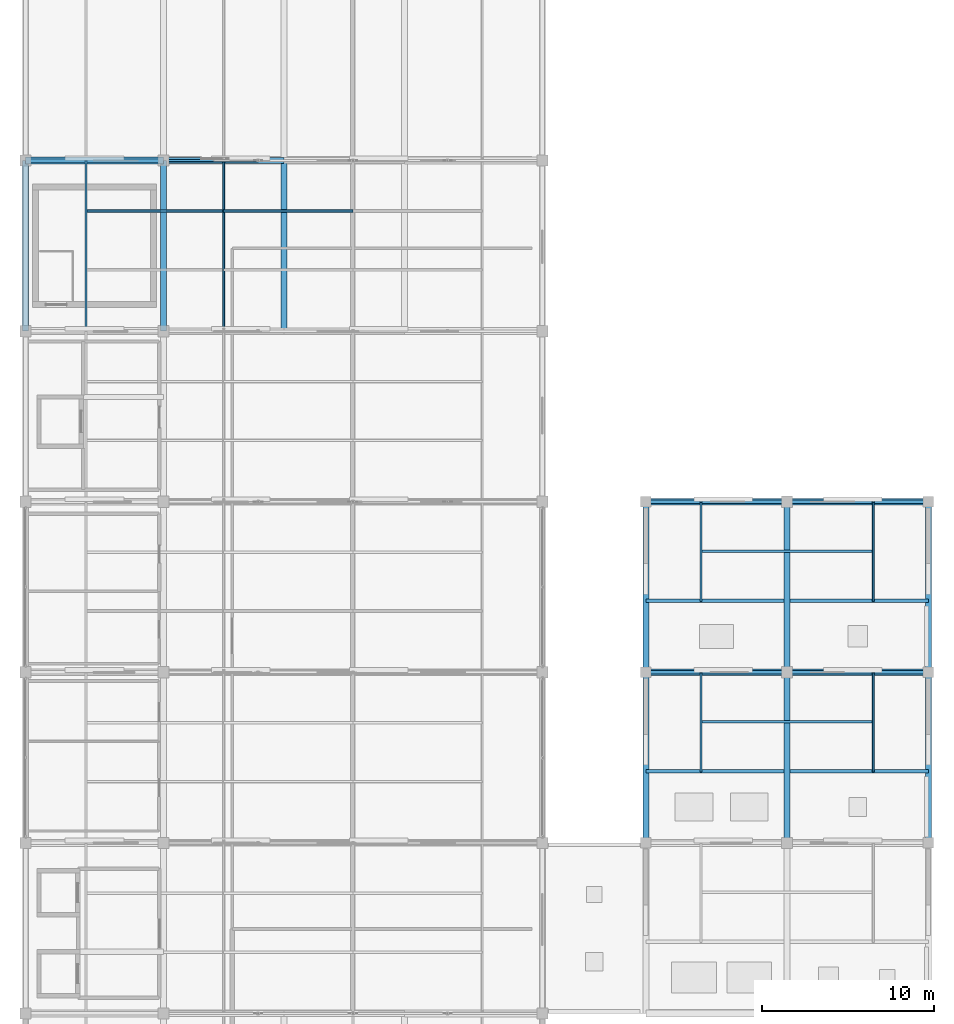
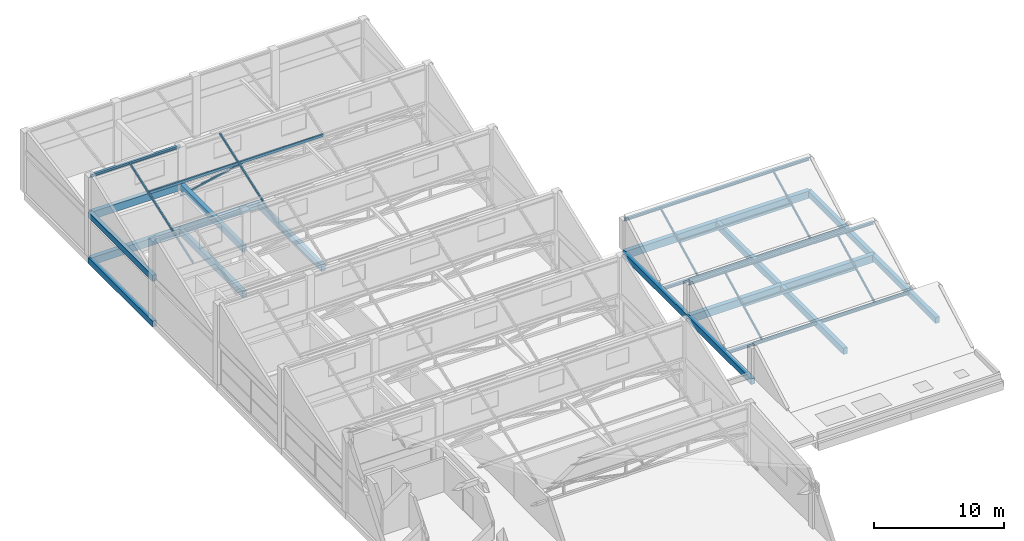
# One storey, part 22 of 35: 27 beams, 11 members.
"""IFC4 building model written with IfcOpenShell, lengths in metres."""

from ifc_helpers import new_model, si_unit, direction, frame, origin, origin_2d, place, context, subcontext, project, spatial, rectangle, hollow_rectangle, i_section, extrude, material, material_profile, profile_set, type_object, element, save


model = new_model("IFC4")

# Units and contexts
model_context = context("Model", 3, precision=1e-05, world=origin(), true_north=direction((0.0, 1.0)))
body_context = subcontext(model_context, "Body", "Model", "MODEL_VIEW")
ifc_project = project(units=[si_unit("LENGTHUNIT", "METRE"), si_unit("AREAUNIT", "SQUARE_METRE"), si_unit("VOLUMEUNIT", "CUBIC_METRE"), si_unit("PLANEANGLEUNIT", "RADIAN"), si_unit("MASSUNIT", "GRAM", prefix="KILO")], contexts=[model_context])

# Site, building, storey
site_placement = place(None, origin())
site = spatial("IfcSite", under=ifc_project, at=site_placement, CompositionType="ELEMENT")
building_placement = place(site_placement, origin())
building = spatial("IfcBuilding", under=site, at=building_placement, Name="Sillaruma Civic Art Gallery", CompositionType="ELEMENT")
storey_placement = place(building_placement, frame((0.0, 0.0, 74.4599609375)))
storey = spatial("IfcBuildingStorey", under=building, at=storey_placement, Name="L15", CompositionType="ELEMENT", Elevation=74.4599609375)

# Beams
ifc_material_1 = material(Name="Concrete H35 (35 MPa)", Category="concrete")
ifc_material_profile_1 = material_profile(ifc_material_1, rectangle(XDim=0.35009765625, YDim=0.60009765625, at=origin_2d()), Name="RCB350x600")
ifc_profile_set_1 = profile_set([ifc_material_profile_1], Name="Concrete H35 (35 MPa)")
beam_type_1 = type_object("IfcBeamType", Name="BM-BEAM-RCB350x600", PredefinedType="BEAM", material=ifc_profile_set_1)
beam_1_placement = place(storey_placement, frame((70.0, 89.10009765625, -0.550048828125), z_axis=(1.0, 0.0, 0.0), x_axis=(0.0, 1.0, 0.0)))
element("IfcBeam", 1, at=beam_1_placement, inside=storey, type_object=beam_type_1, Name="Beam BM-06 (L14:10:G-H)", PredefinedType="BEAM", context=body_context, shape_type="SweptSolid", body=[
    extrude(rectangle(XDim=0.35009765625, YDim=0.60009765625, at=origin_2d()), origin(), (0.0, 0.0, 1.0), 7.0),
])
for number, where, z_axis, x_axis, name in (
    (2, (70.0, 79.199951171875, -0.550048828125), (0.0, 1.0, 0.0), (-1.0, 0.0, 0.0), "Beam BM-06 (L14:G:9-10)"),
    (3, (77.0, 79.199951171875, -0.550048828125), (0.0, 1.0, 0.0), (-1.0, 0.0, 0.0), "Beam BM-06 (L14:H:9-10)"),
):
    element("IfcBeam", number, at=place(storey_placement, frame(where, z_axis=z_axis, x_axis=x_axis)), inside=storey, type_object=beam_type_1, Name=name, PredefinedType="BEAM", context=body_context, shape_type="SweptSolid", body=[
        extrude(rectangle(XDim=0.35009765625, YDim=0.60009765625, at=origin_2d()), origin(), (0.0, 0.0, 1.0), 9.900146484375),
    ])
beam_2_placement = place(storey_placement, frame((106.199951171875, 49.5, -0.550048828125), z_axis=(0.0, 1.0, 0.0), x_axis=(-1.0, 0.0, 0.0)))
element("IfcBeam", 4, at=beam_2_placement, inside=storey, type_object=beam_type_1, Name="Beam BM-06 (L14:M:6-7)", PredefinedType="BEAM", context=body_context, shape_type="SweptSolid", body=[
    extrude(rectangle(XDim=0.35009765625, YDim=0.60009765625, at=origin_2d()), origin(), (0.0, 0.0, 1.0), 9.89990234375),
])
beam_3_placement = place(storey_placement, frame((106.199951171875, 59.39990234375, -0.550048828125), z_axis=(0.0, 1.0, 0.0), x_axis=(-1.0, 0.0, 0.0)))
element("IfcBeam", 5, at=beam_3_placement, inside=storey, type_object=beam_type_1, Name="Beam BM-06 (L14:M:7-8)", PredefinedType="BEAM", context=body_context, shape_type="SweptSolid", body=[
    extrude(rectangle(XDim=0.35009765625, YDim=0.60009765625, at=origin_2d()), origin(), (0.0, 0.0, 1.0), 9.900146484375),
])
ifc_material_profile_2 = material_profile(ifc_material_1, rectangle(XDim=0.39990234375, YDim=0.699951171875, at=origin_2d()), Name="RCB400x700")
ifc_profile_set_2 = profile_set([ifc_material_profile_2], Name="Concrete H35 (35 MPa)")
beam_type_2 = type_object("IfcBeamType", Name="BM-BEAM-RCB400x700", PredefinedType="BEAM", material=ifc_profile_set_2)
for number, where, z_axis, x_axis, name in (
    (6, (98.0, 59.39990234375, -0.599853515625), (1.0, 0.0, 0.0), (0.0, 1.0, 0.0), "Beam BM-04 (L14:7:L-M)"),
    (7, (106.199951171875, 59.39990234375, -0.599853515625), (1.0, 0.0, 0.0), (0.0, 1.0, 0.0), "Beam BM-04 (L14:7:M-N)"),
    (8, (98.0, 69.300048828125, -0.599853515625), (1.0, 0.0, 0.0), (0.0, 1.0, 0.0), "Beam BM-04 (L14:8:L-M)"),
    (9, (106.199951171875, 69.300048828125, -0.599853515625), (1.0, 0.0, 0.0), (0.0, 1.0, 0.0), "Beam BM-04 (L14:8:M-N)"),
):
    element("IfcBeam", number, at=place(storey_placement, frame(where, z_axis=z_axis, x_axis=x_axis)), inside=storey, type_object=beam_type_2, Name=name, PredefinedType="BEAM", context=body_context, shape_type="SweptSolid", body=[
        extrude(rectangle(XDim=0.39990234375, YDim=0.699951171875, at=origin_2d()), origin(), (0.0, 0.0, 1.0), 8.199951171875),
    ])
beam_4_placement = place(storey_placement, frame((62.0, 89.10009765625, -0.599853515625), z_axis=(1.0, 0.0, 0.0), x_axis=(0.0, 1.0, 0.0)))
element("IfcBeam", 10, at=beam_4_placement, inside=storey, type_object=beam_type_2, Name="Beam BM-04 (L14:10:F-G)", PredefinedType="BEAM", context=body_context, shape_type="SweptSolid", body=[
    extrude(rectangle(XDim=0.39990234375, YDim=0.699951171875, at=origin_2d()), origin(), (0.0, 0.0, 1.0), 8.0),
])
ifc_material_profile_3 = material_profile(ifc_material_1, rectangle(XDim=0.35009765625, YDim=0.550048828125, at=origin_2d()), Name="RCB350x550")
ifc_profile_set_3 = profile_set([ifc_material_profile_3], Name="Concrete H35 (35 MPa)")
beam_type_3 = type_object("IfcBeamType", Name="BM-ROF-RCB350x550", PredefinedType="SPANDREL", material=ifc_profile_set_3)
beam_5_placement = place(storey_placement, frame((62.0, 79.199951171875, 3.76513671875), z_axis=(0.0, 1.0, 0.0), x_axis=(-1.0, 0.0, 0.0)))
element("IfcBeam", 11, at=beam_5_placement, inside=storey, type_object=beam_type_3, Name="Beam BSR-04 (L15:F:9-10)", PredefinedType="SPANDREL", context=body_context, shape_type="SweptSolid", body=[
    extrude(rectangle(XDim=0.35009765625, YDim=0.550048828125, at=origin_2d()), origin(), (0.0, 0.0, 1.0), 9.900146484375),
])
ifc_material_profile_4 = material_profile(ifc_material_1, rectangle(XDim=0.35009765625, YDim=0.60009765625, at=origin_2d()), Name="RCB350x600")
ifc_profile_set_4 = profile_set([ifc_material_profile_4], Name="Concrete H35 (35 MPa)")
beam_type_4 = type_object("IfcBeamType", Name="BM-ROF-RCB350x600", PredefinedType="BEAM", material=ifc_profile_set_4)
beam_6_placement = place(storey_placement, frame((70.0, 79.199951171875, 3.739990234375), z_axis=(0.0, 1.0, 0.0), x_axis=(-1.0, 0.0, 0.0)))
element("IfcBeam", 12, at=beam_6_placement, inside=storey, type_object=beam_type_4, Name="Beam BRF-06 (L15:G:9-10)", PredefinedType="BEAM", context=body_context, shape_type="SweptSolid", body=[
    extrude(rectangle(XDim=0.35009765625, YDim=0.60009765625, at=origin_2d()), origin(), (0.0, 0.0, 1.0), 9.900146484375),
])
ifc_material_profile_5 = material_profile(ifc_material_1, rectangle(XDim=0.39990234375, YDim=0.699951171875, at=origin_2d()), Name="RCB400x700")
ifc_profile_set_5 = profile_set([ifc_material_profile_5], Name="Concrete H35 (35 MPa)")
beam_type_5 = type_object("IfcBeamType", Name="BM-ROF-RCB400x700", PredefinedType="BEAM", material=ifc_profile_set_5)
beam_7_placement = place(storey_placement, frame((62.0, 89.10009765625, 3.68994140625), z_axis=(1.0, 0.0, 0.0), x_axis=(0.0, 1.0, 0.0)))
element("IfcBeam", 13, at=beam_7_placement, inside=storey, type_object=beam_type_5, Name="Beam BRF-04 (L15:10:F-G)", PredefinedType="BEAM", context=body_context, shape_type="SweptSolid", body=[
    extrude(rectangle(XDim=0.39990234375, YDim=0.699951171875, at=origin_2d()), origin(), (0.0, 0.0, 1.0), 8.0),
])
ifc_material_2 = material(Name="Structural Steel ASTM A992 Gr.50", Category="steel")
ifc_material_profile_6 = material_profile(ifc_material_2, i_section(OverallWidth=0.2041015625, OverallDepth=0.257080078125, WebThickness=0.0087890625, FlangeThickness=0.015625, FilletRadius=0.012939453125, at=origin_2d()), Name="W250x67")
ifc_profile_set_6 = profile_set([ifc_material_profile_6], Name="Structural Steel ASTM A992 Gr.50")
beam_type_6 = type_object("IfcBeamType", Name="BM-SAW-W250x67", PredefinedType="BEAM", material=ifc_profile_set_6)
beam_8_placement = place(storey_placement, frame((62.0, 89.10009765625, 7.360107421875), z_axis=(1.0, 0.0, 0.0), x_axis=(0.0, 1.0, 0.0)))
element("IfcBeam", 14, at=beam_8_placement, inside=storey, type_object=beam_type_6, Name="Sawtooth Ridge Steel Girder (5-FG)", PredefinedType="BEAM", context=body_context, shape_type="SweptSolid", body=[
    extrude(i_section(OverallWidth=0.2041015625, OverallDepth=0.257080078125, WebThickness=0.0087890625, FlangeThickness=0.015625, FilletRadius=0.012939453125, at=origin_2d()), origin(), (0.0, 0.0, 1.0), 8.0),
])
beam_9_placement = place(storey_placement, frame((98.0, 53.659912109375, -0.3798828125), z_axis=(1.0, 0.0, 0.0), x_axis=(0.0, 1.0, 0.0)))
element("IfcBeam", 15, at=beam_9_placement, inside=storey, type_object=beam_type_6, Name="East Crown Sawtooth Valley Girder (2-LM)", PredefinedType="BEAM", context=body_context, shape_type="SweptSolid", body=[
    extrude(i_section(OverallWidth=0.2041015625, OverallDepth=0.257080078125, WebThickness=0.0087890625, FlangeThickness=0.015625, FilletRadius=0.012939453125, at=origin_2d()), origin(), (0.0, 0.0, 1.0), 8.02490234375),
])
beam_10_placement = place(storey_placement, frame((98.0, 59.39990234375, 2.66015625), z_axis=(1.0, 0.0, 0.0), x_axis=(0.0, 1.0, 0.0)))
element("IfcBeam", 16, at=beam_10_placement, inside=storey, type_object=beam_type_6, Name="East Crown Sawtooth Ridge Girder (2-LM)", PredefinedType="BEAM", context=body_context, shape_type="SweptSolid", body=[
    extrude(i_section(OverallWidth=0.2041015625, OverallDepth=0.257080078125, WebThickness=0.0087890625, FlangeThickness=0.015625, FilletRadius=0.012939453125, at=origin_2d()), origin(), (0.0, 0.0, 1.0), 8.199951171875),
])
beam_11_placement = place(storey_placement, frame((106.375, 53.659912109375, -0.3798828125), z_axis=(1.0, 0.0, 0.0), x_axis=(0.0, 1.0, 0.0)))
element("IfcBeam", 17, at=beam_11_placement, inside=storey, type_object=beam_type_6, Name="East Crown Sawtooth Valley Girder (2-MN)", PredefinedType="BEAM", context=body_context, shape_type="SweptSolid", body=[
    extrude(i_section(OverallWidth=0.2041015625, OverallDepth=0.257080078125, WebThickness=0.0087890625, FlangeThickness=0.015625, FilletRadius=0.012939453125, at=origin_2d()), origin(), (0.0, 0.0, 1.0), 8.02490234375),
])
beam_12_placement = place(storey_placement, frame((106.199951171875, 59.39990234375, 2.66015625), z_axis=(1.0, 0.0, 0.0), x_axis=(0.0, 1.0, 0.0)))
element("IfcBeam", 18, at=beam_12_placement, inside=storey, type_object=beam_type_6, Name="East Crown Sawtooth Ridge Girder (2-MN)", PredefinedType="BEAM", context=body_context, shape_type="SweptSolid", body=[
    extrude(i_section(OverallWidth=0.2041015625, OverallDepth=0.257080078125, WebThickness=0.0087890625, FlangeThickness=0.015625, FilletRadius=0.012939453125, at=origin_2d()), origin(), (0.0, 0.0, 1.0), 8.199951171875),
])
beam_13_placement = place(storey_placement, frame((98.0, 63.56005859375, -0.3798828125), z_axis=(1.0, 0.0, 0.0), x_axis=(0.0, 1.0, 0.0)))
element("IfcBeam", 19, at=beam_13_placement, inside=storey, type_object=beam_type_6, Name="East Crown Sawtooth Valley Girder (3-LM)", PredefinedType="BEAM", context=body_context, shape_type="SweptSolid", body=[
    extrude(i_section(OverallWidth=0.2041015625, OverallDepth=0.257080078125, WebThickness=0.0087890625, FlangeThickness=0.015625, FilletRadius=0.012939453125, at=origin_2d()), origin(), (0.0, 0.0, 1.0), 8.02490234375),
])
beam_14_placement = place(storey_placement, frame((98.0, 69.300048828125, 2.66015625), z_axis=(1.0, 0.0, 0.0), x_axis=(0.0, 1.0, 0.0)))
element("IfcBeam", 20, at=beam_14_placement, inside=storey, type_object=beam_type_6, Name="East Crown Sawtooth Ridge Girder (3-LM)", PredefinedType="BEAM", context=body_context, shape_type="SweptSolid", body=[
    extrude(i_section(OverallWidth=0.2041015625, OverallDepth=0.257080078125, WebThickness=0.0087890625, FlangeThickness=0.015625, FilletRadius=0.012939453125, at=origin_2d()), origin(), (0.0, 0.0, 1.0), 8.199951171875),
])
beam_15_placement = place(storey_placement, frame((106.375, 63.56005859375, -0.3798828125), z_axis=(1.0, 0.0, 0.0), x_axis=(0.0, 1.0, 0.0)))
element("IfcBeam", 21, at=beam_15_placement, inside=storey, type_object=beam_type_6, Name="East Crown Sawtooth Valley Girder (3-MN)", PredefinedType="BEAM", context=body_context, shape_type="SweptSolid", body=[
    extrude(i_section(OverallWidth=0.2041015625, OverallDepth=0.257080078125, WebThickness=0.0087890625, FlangeThickness=0.015625, FilletRadius=0.012939453125, at=origin_2d()), origin(), (0.0, 0.0, 1.0), 8.02490234375),
])
beam_16_placement = place(storey_placement, frame((106.199951171875, 69.300048828125, 2.66015625), z_axis=(1.0, 0.0, 0.0), x_axis=(0.0, 1.0, 0.0)))
element("IfcBeam", 22, at=beam_16_placement, inside=storey, type_object=beam_type_6, Name="East Crown Sawtooth Ridge Girder (3-MN)", PredefinedType="BEAM", context=body_context, shape_type="SweptSolid", body=[
    extrude(i_section(OverallWidth=0.2041015625, OverallDepth=0.257080078125, WebThickness=0.0087890625, FlangeThickness=0.015625, FilletRadius=0.012939453125, at=origin_2d()), origin(), (0.0, 0.0, 1.0), 8.199951171875),
])
ifc_material_profile_7 = material_profile(ifc_material_1, rectangle(XDim=0.35009765625, YDim=0.550048828125, at=origin_2d()), Name="RCB350x550")
ifc_profile_set_7 = profile_set([ifc_material_profile_7], Name="Concrete H35 (35 MPa)")
beam_type_7 = type_object("IfcBeamType", Name="BM-SPANDREL-RCB350x550", PredefinedType="SPANDREL", material=ifc_profile_set_7)
beam_17_placement = place(storey_placement, frame((62.0, 79.199951171875, -0.52490234375), z_axis=(0.0, 1.0, 0.0), x_axis=(-1.0, 0.0, 0.0)))
element("IfcBeam", 23, at=beam_17_placement, inside=storey, type_object=beam_type_7, Name="Beam BS-04 (L14:F:9-10)", PredefinedType="SPANDREL", context=body_context, shape_type="SweptSolid", body=[
    extrude(rectangle(XDim=0.35009765625, YDim=0.550048828125, at=origin_2d()), origin(), (0.0, 0.0, 1.0), 9.900146484375),
])
beam_18_placement = place(storey_placement, frame((98.0, 49.5, -0.52490234375), z_axis=(0.0, 1.0, 0.0), x_axis=(-1.0, 0.0, 0.0)))
element("IfcBeam", 24, at=beam_18_placement, inside=storey, type_object=beam_type_7, Name="Beam BS-04 (L14:L:6-7)", PredefinedType="SPANDREL", context=body_context, shape_type="SweptSolid", body=[
    extrude(rectangle(XDim=0.35009765625, YDim=0.550048828125, at=origin_2d()), origin(), (0.0, 0.0, 1.0), 9.89990234375),
])
beam_19_placement = place(storey_placement, frame((98.0, 59.39990234375, -0.52490234375), z_axis=(0.0, 1.0, 0.0), x_axis=(-1.0, 0.0, 0.0)))
element("IfcBeam", 25, at=beam_19_placement, inside=storey, type_object=beam_type_7, Name="Beam BS-04 (L14:L:7-8)", PredefinedType="SPANDREL", context=body_context, shape_type="SweptSolid", body=[
    extrude(rectangle(XDim=0.35009765625, YDim=0.550048828125, at=origin_2d()), origin(), (0.0, 0.0, 1.0), 9.900146484375),
])
beam_20_placement = place(storey_placement, frame((114.39990234375, 49.5, -0.52490234375), z_axis=(0.0, 1.0, 0.0), x_axis=(-1.0, 0.0, 0.0)))
element("IfcBeam", 26, at=beam_20_placement, inside=storey, type_object=beam_type_7, Name="Beam BS-04 (L14:N:6-7)", PredefinedType="SPANDREL", context=body_context, shape_type="SweptSolid", body=[
    extrude(rectangle(XDim=0.35009765625, YDim=0.550048828125, at=origin_2d()), origin(), (0.0, 0.0, 1.0), 9.89990234375),
])
beam_21_placement = place(storey_placement, frame((114.39990234375, 59.39990234375, -0.52490234375), z_axis=(0.0, 1.0, 0.0), x_axis=(-1.0, 0.0, 0.0)))
element("IfcBeam", 27, at=beam_21_placement, inside=storey, type_object=beam_type_7, Name="Beam BS-04 (L14:N:7-8)", PredefinedType="SPANDREL", context=body_context, shape_type="SweptSolid", body=[
    extrude(rectangle(XDim=0.35009765625, YDim=0.550048828125, at=origin_2d()), origin(), (0.0, 0.0, 1.0), 9.900146484375),
])

# Members
ifc_material_3 = material(Name="Structural Steel ASTM A500 Gr.C", Category="steel")
ifc_material_profile_8 = material_profile(ifc_material_3, hollow_rectangle(XDim=0.14990234375, YDim=0.14990234375, WallThickness=0.010009765625, InnerFilletRadius=0.010009765625, OuterFilletRadius=0.02001953125, at=origin_2d()), Name="HSS150x150x10")
ifc_profile_set_8 = profile_set([ifc_material_profile_8], Name="Structural Steel ASTM A500 Gr.C")
member_type_1 = type_object("IfcMemberType", Name="MEM-BRACE-HSS150x150x10", PredefinedType="BRACE", material=ifc_profile_set_8)
member_1_placement = place(storey_placement, frame((70.0, 89.10009765625, 2.699951171875), z_axis=(0.978538722809, 0.0, 0.206063019398), x_axis=(0.0, 1.0, 0.0)))
element("IfcMember", 28, at=member_1_placement, inside=storey, type_object=member_type_1, Name="Warren Truss Diagonal TR-L15-6-D1", PredefinedType="BRACE", context=body_context, shape_type="SweptSolid", body=[
    extrude(hollow_rectangle(XDim=0.14990234375, YDim=0.14990234375, WallThickness=0.010009765625, InnerFilletRadius=0.010009765625, OuterFilletRadius=0.02001953125, at=origin_2d()), origin(), (0.0, 0.0, 1.0), 5.62060546875),
])
ifc_material_profile_9 = material_profile(ifc_material_3, hollow_rectangle(XDim=0.14990234375, YDim=0.25, WallThickness=0.010009765625, InnerFilletRadius=0.010009765625, OuterFilletRadius=0.02001953125, at=origin_2d()), Name="HSS250x150x10")
ifc_profile_set_9 = profile_set([ifc_material_profile_9], Name="Structural Steel ASTM A500 Gr.C")
member_type_2 = type_object("IfcMemberType", Name="MEM-PUR-HSS250", PredefinedType="PURLIN", material=ifc_profile_set_9)
member_2_placement = place(storey_placement, frame((65.5, 86.172119140625, 6.322021484375), z_axis=(1.0, 0.0, 0.0), x_axis=(0.0, 1.0, 0.0)))
element("IfcMember", 29, at=member_2_placement, inside=storey, type_object=member_type_2, Name="Sawtooth Roof Steel Purlin (5.2.1)", PredefinedType="PURLIN", context=body_context, shape_type="SweptSolid", body=[
    extrude(hollow_rectangle(XDim=0.14990234375, YDim=0.25, WallThickness=0.010009765625, InnerFilletRadius=0.010009765625, OuterFilletRadius=0.02001953125, at=origin_2d()), origin(), (0.0, 0.0, 1.0), 8.0),
])
member_3_placement = place(storey_placement, frame((73.5, 86.172119140625, 6.322021484375), z_axis=(1.0, 0.0, 0.0), x_axis=(0.0, 1.0, 0.0)))
element("IfcMember", 30, at=member_3_placement, inside=storey, type_object=member_type_2, Name="Sawtooth Roof Steel Purlin (5.2.2)", PredefinedType="PURLIN", context=body_context, shape_type="SweptSolid", body=[
    extrude(hollow_rectangle(XDim=0.14990234375, YDim=0.25, WallThickness=0.010009765625, InnerFilletRadius=0.010009765625, OuterFilletRadius=0.02001953125, at=origin_2d()), origin(), (0.0, 0.0, 1.0), 7.5),
])
for number, where, z_axis, x_axis, name in (
    (31, (101.199951171875, 56.530029296875, 1.2099609375), (1.0, 0.0, 0.0), (0.0, 1.0, 0.0), "East Crown Roof Steel Purlin (2.1)"),
    (32, (101.199951171875, 66.429931640625, 1.2099609375), (1.0, 0.0, 0.0), (0.0, 1.0, 0.0), "East Crown Roof Steel Purlin (3.1)"),
):
    element("IfcMember", number, at=place(storey_placement, frame(where, z_axis=z_axis, x_axis=x_axis)), inside=storey, type_object=member_type_2, Name=name, PredefinedType="PURLIN", context=body_context, shape_type="SweptSolid", body=[
        extrude(hollow_rectangle(XDim=0.14990234375, YDim=0.25, WallThickness=0.010009765625, InnerFilletRadius=0.010009765625, OuterFilletRadius=0.02001953125, at=origin_2d()), origin(), (0.0, 0.0, 1.0), 10.0),
    ])
ifc_material_profile_10 = material_profile(ifc_material_3, hollow_rectangle(XDim=0.1201171875, YDim=0.199951171875, WallThickness=0.008056640625, InnerFilletRadius=0.008056640625, OuterFilletRadius=0.01611328125, at=origin_2d()), Name="HSS200x120x8")
ifc_profile_set_10 = profile_set([ifc_material_profile_10], Name="Structural Steel ASTM A500 Gr.C")
member_type_3 = type_object("IfcMemberType", Name="MEM-RAF-HSS200", PredefinedType="PURLIN", material=ifc_profile_set_10)
for number, where, z_axis, x_axis, name in (
    (33, (65.5, 79.340087890625, 3.900146484375), (0.0, 0.942527174953, 0.33412950255), (-1.0, 0.0, 0.0), "Sawtooth Sloped Steel Rafter (5-FW)"),
    (34, (73.5, 79.340087890625, 3.900146484375), (0.0, 0.942527174953, 0.33412950255), (-1.0, 0.0, 0.0), "Sawtooth Sloped Steel Rafter (5-W)"),
):
    element("IfcMember", number, at=place(storey_placement, frame(where, z_axis=z_axis, x_axis=x_axis)), inside=storey, type_object=member_type_3, Name=name, PredefinedType="PURLIN", context=body_context, shape_type="SweptSolid", body=[
        extrude(hollow_rectangle(XDim=0.1201171875, YDim=0.199951171875, WallThickness=0.008056640625, InnerFilletRadius=0.008056640625, OuterFilletRadius=0.01611328125, at=origin_2d()), origin(), (0.0, 0.0, 1.0), 10.355224609375),
    ])
for number, where, z_axis, x_axis, name in (
    (35, (101.199951171875, 53.659912109375, -0.239990234375), (0.0, 0.892543963218, 0.450960390416), (-1.0, 0.0, 0.0), "East Crown Sloped Steel Rafter (2-W)"),
    (36, (111.199951171875, 53.659912109375, -0.239990234375), (0.0, 0.892543963218, 0.450960390416), (-1.0, 0.0, 0.0), "East Crown Sloped Steel Rafter (2-E)"),
    (37, (101.199951171875, 63.56005859375, -0.239990234375), (0.0, 0.892543963218, 0.450960390416), (-1.0, 0.0, 0.0), "East Crown Sloped Steel Rafter (3-W)"),
    (38, (111.199951171875, 63.56005859375, -0.239990234375), (0.0, 0.892543963218, 0.450960390416), (-1.0, 0.0, 0.0), "East Crown Sloped Steel Rafter (3-E)"),
):
    element("IfcMember", number, at=place(storey_placement, frame(where, z_axis=z_axis, x_axis=x_axis)), inside=storey, type_object=member_type_3, Name=name, PredefinedType="PURLIN", context=body_context, shape_type="SweptSolid", body=[
        extrude(hollow_rectangle(XDim=0.1201171875, YDim=0.199951171875, WallThickness=0.008056640625, InnerFilletRadius=0.008056640625, OuterFilletRadius=0.01611328125, at=origin_2d()), origin(), (0.0, 0.0, 1.0), 6.43115234375),
    ])

save(model, "model.ifc")
